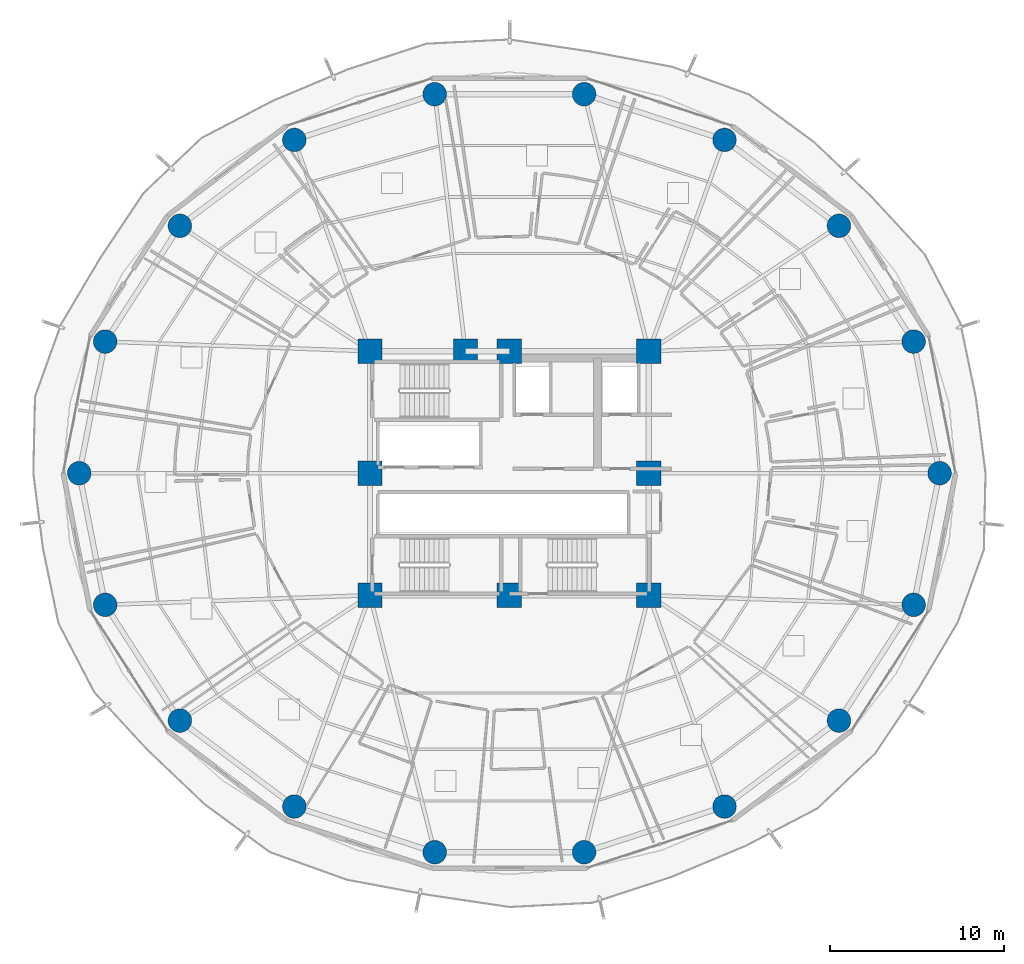
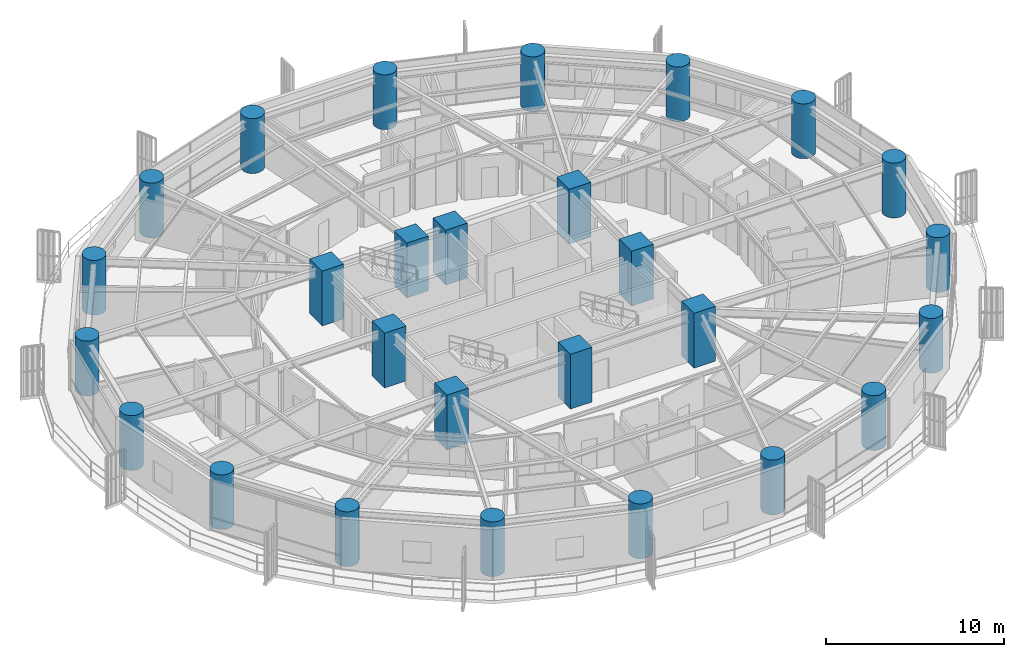
# One storey, part 1 of 35: 27 columns.
"""IFC4 building model written with IfcOpenShell, lengths in metres."""

from ifc_helpers import new_model, si_unit, direction, frame, origin, origin_2d, place, context, subcontext, project, spatial, rectangle, circle, extrude, material, material_profile, profile_set, type_object, element, save


model = new_model("IFC4")

# Units and contexts
model_context = context("Model", 3, precision=1e-05, world=origin(), true_north=direction((0.0, 1.0)))
body_context = subcontext(model_context, "Body", "Model", "MODEL_VIEW")
ifc_project = project(units=[si_unit("LENGTHUNIT", "METRE"), si_unit("AREAUNIT", "SQUARE_METRE"), si_unit("VOLUMEUNIT", "CUBIC_METRE"), si_unit("PLANEANGLEUNIT", "RADIAN"), si_unit("MASSUNIT", "GRAM", prefix="KILO")], contexts=[model_context])

# Site, building, storey
site_placement = place(None, origin())
site = spatial("IfcSite", under=ifc_project, at=site_placement, CompositionType="ELEMENT")
building_placement = place(site_placement, origin())
building = spatial("IfcBuilding", under=site, at=building_placement, Name="Kelanora Arch Commons", CompositionType="ELEMENT")
storey_placement = place(building_placement, frame((0.0, 0.0, 87.60009765625)))
storey = spatial("IfcBuildingStorey", under=building, at=storey_placement, Name="L22", CompositionType="ELEMENT", Elevation=87.60009765625)

# Columns
ifc_material = material(Name="Concrete C60/75", Category="concrete")
ifc_material_profile_1 = material_profile(ifc_material, circle(Radius=0.675048828125, at=origin_2d()), Name="RCC1350")
ifc_profile_set_1 = profile_set([ifc_material_profile_1], Name="Concrete C60/75")
column_type_1 = type_object("IfcColumnType", Name="COL-PERIM-Z2", PredefinedType="COLUMN", material=ifc_profile_set_1)
for number, where, z_axis, x_axis, name in (
    (1, (98.679931640625, 58.0, 0.0), (0.0, 0.0, 1.0), (1.0, 0.0, 0.0), "Perimeter Ring Column CP-00 L22"),
    (2, (97.191650390625, 65.5517578125, 0.0), (0.0, 0.0, 1.0), (1.0, 0.0, 0.0), "Perimeter Ring Column CP-02 L22"),
    (3, (92.906005859375, 72.19287109375, 0.0), (0.0, 0.0, 1.0), (1.0, 0.0, 0.0), "Perimeter Ring Column CP-04 L22"),
    (4, (86.340087890625, 77.121826171875, 0.0), (0.0, 0.0, 1.0), (1.0, 0.0, 0.0), "Perimeter Ring Column CP-06 L22"),
    (5, (78.28564453125, 79.74462890625, 0.0), (0.0, 0.0, 1.0), (1.0, 0.0, 0.0), "Perimeter Ring Column CP-08 L22"),
    (6, (69.71435546875, 79.74462890625, 0.0), (0.0, 0.0, 1.0), (1.0, 0.0, 0.0), "Perimeter Ring Column CP-10 L22"),
    (7, (61.659912109375, 77.121826171875, 0.0), (0.0, 0.0, 1.0), (1.0, 0.0, 0.0), "Perimeter Ring Column CP-12 L22"),
    (8, (55.093994140625, 72.19287109375, 0.0), (0.0, 0.0, 1.0), (1.0, 0.0, 0.0), "Perimeter Ring Column CP-14 L22"),
    (9, (50.808349609375, 65.5517578125, 0.0), (0.0, 0.0, 1.0), (1.0, 0.0, 0.0), "Perimeter Ring Column CP-16 L22"),
    (10, (49.320068359375, 58.0, 0.0), (0.0, 0.0, 1.0), (1.0, 0.0, 0.0), "Perimeter Ring Column CP-18 L22"),
    (11, (50.808349609375, 50.4482421875, 0.0), (0.0, 0.0, 1.0), (1.0, 0.0, 0.0), "Perimeter Ring Column CP-20 L22"),
    (12, (55.093994140625, 43.80712890625, 0.0), (0.0, 0.0, 1.0), (1.0, 0.0, 0.0), "Perimeter Ring Column CP-22 L22"),
    (13, (61.659912109375, 38.878173828125, 0.0), (0.0, 0.0, 1.0), (1.0, 0.0, 0.0), "Perimeter Ring Column CP-24 L22"),
    (14, (69.71435546875, 36.25537109375, 0.0), (0.0, 0.0, 1.0), (1.0, 0.0, 0.0), "Perimeter Ring Column CP-26 L22"),
    (15, (78.28564453125, 36.25537109375, 0.0), (0.0, 0.0, 1.0), (1.0, 0.0, 0.0), "Perimeter Ring Column CP-28 L22"),
    (16, (86.340087890625, 38.878173828125, 0.0), (0.0, 0.0, 1.0), (1.0, 0.0, 0.0), "Perimeter Ring Column CP-30 L22"),
    (17, (92.906005859375, 43.80712890625, 0.0), (0.0, 0.0, 1.0), (1.0, 0.0, 0.0), "Perimeter Ring Column CP-32 L22"),
    (18, (97.191650390625, 50.4482421875, 0.0), (0.0, 0.0, 1.0), (1.0, 0.0, 0.0), "Perimeter Ring Column CP-34 L22"),
):
    element("IfcColumn", number, at=place(storey_placement, frame(where, z_axis=z_axis, x_axis=x_axis)), inside=storey, type_object=column_type_1, Name=name, PredefinedType="COLUMN", context=body_context, shape_type="SweptSolid", body=[
        extrude(circle(Radius=0.675048828125, at=origin_2d()), origin(), (0.0, 0.0, 1.0), 3.75),
    ])
ifc_material_profile_2 = material_profile(ifc_material, rectangle(XDim=1.39990234375, YDim=1.39990234375, at=origin_2d()), Name="RC1400x1400")
ifc_profile_set_2 = profile_set([ifc_material_profile_2], Name="Concrete C60/75")
column_type_2 = type_object("IfcColumnType", Name="COL-PIL-LOW", PredefinedType="PILASTER", material=ifc_profile_set_2)
for number, where, z_axis, x_axis, name in (
    (19, (66.0, 51.0, 0.0), (0.0, 0.0, 1.0), (1.0, 0.0, 0.0), "Core Pilaster Column CP1 L22"),
    (20, (74.0, 51.0, 0.0), (0.0, 0.0, 1.0), (1.0, 0.0, 0.0), "Core Pilaster Column CP2 L22"),
    (21, (82.0, 51.0, 0.0), (0.0, 0.0, 1.0), (1.0, 0.0, 0.0), "Core Pilaster Column CP3 L22"),
    (22, (82.0, 58.0, 0.0), (0.0, 0.0, 1.0), (1.0, 0.0, 0.0), "Core Pilaster Column CP4 L22"),
    (23, (82.0, 65.0, 0.0), (0.0, 0.0, 1.0), (1.0, 0.0, 0.0), "Core Pilaster Column CP5 L22"),
    (24, (74.0, 65.0, 0.0), (0.0, 0.0, 1.0), (1.0, 0.0, 0.0), "Core Pilaster Column CP6 L22"),
    (25, (71.47998046875, 65.0, 0.0), (0.0, 0.0, 1.0), (1.0, 0.0, 0.0), "Core Pilaster Column CP9 L22"),
    (26, (66.0, 65.0, 0.0), (0.0, 0.0, 1.0), (1.0, 0.0, 0.0), "Core Pilaster Column CP7 L22"),
    (27, (66.0, 58.0, 0.0), (0.0, 0.0, 1.0), (1.0, 0.0, 0.0), "Core Pilaster Column CP8 L22"),
):
    element("IfcColumn", number, at=place(storey_placement, frame(where, z_axis=z_axis, x_axis=x_axis)), inside=storey, type_object=column_type_2, Name=name, PredefinedType="PILASTER", context=body_context, shape_type="SweptSolid", body=[
        extrude(rectangle(XDim=1.39990234375, YDim=1.39990234375, at=origin_2d()), origin(), (0.0, 0.0, 1.0), 3.75),
    ])

save(model, "model.ifc")
